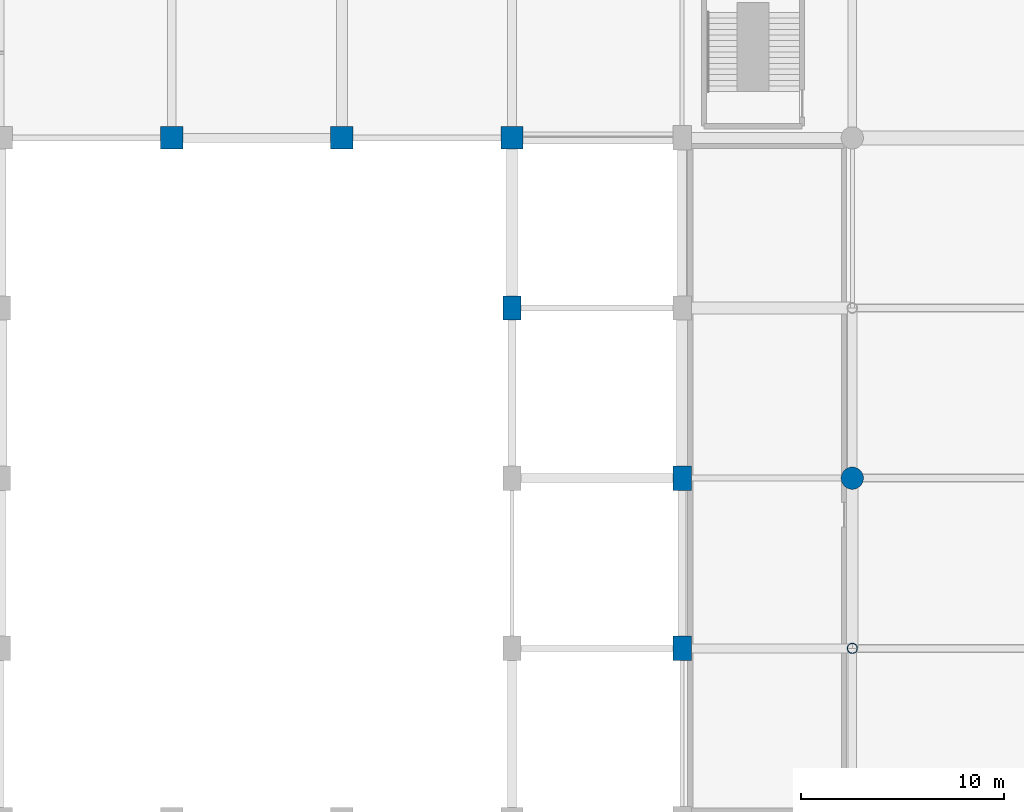
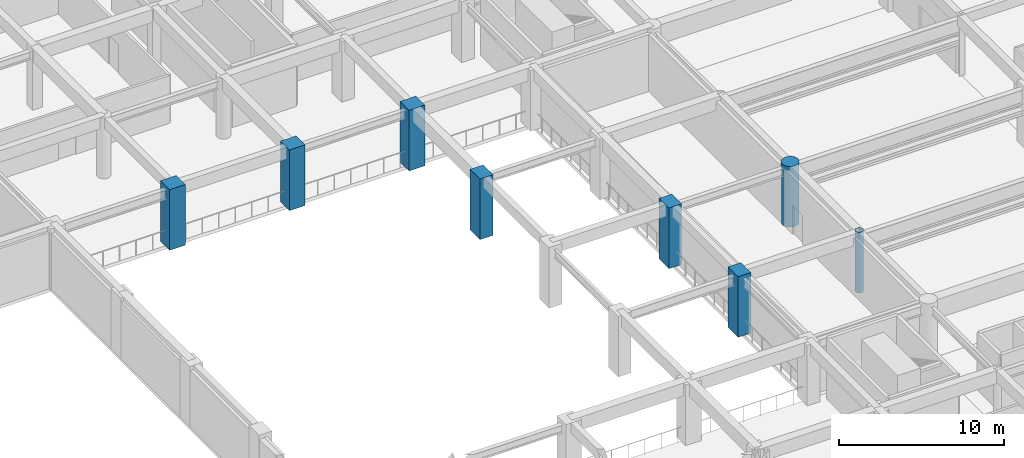
# One storey, part 3 of 56: 8 columns.
"""IFC4 building model written with IfcOpenShell, lengths in metres."""

from ifc_helpers import new_model, si_unit, direction, frame, origin, origin_2d, place, context, subcontext, project, spatial, rectangle, circle, hollow_circle, extrude, material, material_profile, profile_set, type_object, element, save


model = new_model("IFC4")

# Units and contexts
model_context = context("Model", 3, precision=1e-05, world=origin(), true_north=direction((0.0, 1.0)))
body_context = subcontext(model_context, "Body", "Model", "MODEL_VIEW")
ifc_project = project(units=[si_unit("LENGTHUNIT", "METRE"), si_unit("AREAUNIT", "SQUARE_METRE"), si_unit("VOLUMEUNIT", "CUBIC_METRE"), si_unit("PLANEANGLEUNIT", "RADIAN"), si_unit("MASSUNIT", "GRAM", prefix="KILO")], contexts=[model_context])

# Site, building, storey
site_placement = place(None, origin())
site = spatial("IfcSite", under=ifc_project, at=site_placement, CompositionType="ELEMENT")
building_placement = place(site_placement, origin())
building = spatial("IfcBuilding", under=site, at=building_placement, Name="Xuanlan Plaza Opera House", CompositionType="ELEMENT")
storey_placement = place(building_placement, frame((0.0, 0.0, 18.89990234375)))
storey = spatial("IfcBuildingStorey", under=building, at=storey_placement, Name="L04", CompositionType="ELEMENT", Elevation=18.89990234375)

# Columns
ifc_material_1 = material(Name="Concrete C50", Category="concrete")
ifc_material_profile_1 = material_profile(ifc_material_1, rectangle(XDim=1.10009765625, YDim=1.10009765625, at=origin_2d()), Name="RC-COL 1100x1100")
ifc_profile_set_1 = profile_set([ifc_material_profile_1], Name="Concrete C50")
column_type_1 = type_object("IfcColumnType", Name="STR-COL-C-03", PredefinedType="COLUMN", material=ifc_profile_set_1)
for number, where, z_axis, x_axis, name in (
    (1, (75.60009765625, 75.60009765625, 0.0), (0.0, 0.0, 1.0), (1.0, 0.0, 0.0), "Column L04 10-J"),
    (2, (84.0, 75.60009765625, 0.0), (0.0, 0.0, 1.0), (1.0, 0.0, 0.0), "Column L04 11-J"),
    (3, (92.39990234375, 75.60009765625, 0.0), (0.0, 0.0, 1.0), (1.0, 0.0, 0.0), "Column L04 12-J"),
):
    element("IfcColumn", number, at=place(storey_placement, frame(where, z_axis=z_axis, x_axis=x_axis)), inside=storey, type_object=column_type_1, Name=name, PredefinedType="COLUMN", context=body_context, shape_type="SweptSolid", body=[
        extrude(rectangle(XDim=1.10009765625, YDim=1.10009765625, at=origin_2d()), origin(), (0.0, 0.0, 1.0), 4.5),
    ])
ifc_material_profile_2 = material_profile(ifc_material_1, rectangle(XDim=0.89990234375, YDim=1.199951171875, at=origin_2d()), Name="RC-COL 900x1200")
ifc_profile_set_2 = profile_set([ifc_material_profile_2], Name="Concrete C50")
column_type_2 = type_object("IfcColumnType", Name="STR-COL-C-10", PredefinedType="COLUMN", material=ifc_profile_set_2)
for number, where, z_axis, x_axis, name in (
    (4, (92.39990234375, 67.199951171875, 0.0), (0.0, 0.0, 1.0), (1.0, 0.0, 0.0), "Column L04 12-I"),
    (5, (100.800048828125, 50.39990234375, 0.0), (0.0, 0.0, 1.0), (1.0, 0.0, 0.0), "Column L04 13-G"),
    (6, (100.800048828125, 58.800048828125, 0.0), (0.0, 0.0, 1.0), (1.0, 0.0, 0.0), "Column L04 13-H"),
):
    element("IfcColumn", number, at=place(storey_placement, frame(where, z_axis=z_axis, x_axis=x_axis)), inside=storey, type_object=column_type_2, Name=name, PredefinedType="COLUMN", context=body_context, shape_type="SweptSolid", body=[
        extrude(rectangle(XDim=0.89990234375, YDim=1.199951171875, at=origin_2d()), origin(), (0.0, 0.0, 1.0), 4.5),
    ])
ifc_material_profile_3 = material_profile(ifc_material_1, circle(Radius=0.550048828125, at=origin_2d()), Name="RC-COL D1100")
ifc_profile_set_3 = profile_set([ifc_material_profile_3], Name="Concrete C50")
column_type_3 = type_object("IfcColumnType", Name="STR-COL-C-11", PredefinedType="COLUMN", material=ifc_profile_set_3)
column_1_placement = place(storey_placement, frame((109.199951171875, 58.800048828125, 0.0), z_axis=(0.0, 0.0, 1.0), x_axis=(1.0, 0.0, 0.0)))
element("IfcColumn", 7, at=column_1_placement, inside=storey, type_object=column_type_3, Name="Column L04 14-H", PredefinedType="COLUMN", context=body_context, shape_type="SweptSolid", body=[
    extrude(circle(Radius=0.550048828125, at=origin_2d()), origin(), (0.0, 0.0, 1.0), 4.5),
])
ifc_material_2 = material(Name="Steel Q355B", Category="steel")
ifc_material_profile_4 = material_profile(ifc_material_2, hollow_circle(Radius=0.25390625, WallThickness=0.02001953125, at=origin_2d()), Name="CHS 508x20")
ifc_profile_set_4 = profile_set([ifc_material_profile_4], Name="Steel Q355B")
column_type_4 = type_object("IfcColumnType", Name="STR-COL-C-16", PredefinedType="COLUMN", material=ifc_profile_set_4)
column_2_placement = place(storey_placement, frame((109.199951171875, 50.39990234375, 0.0), z_axis=(0.0, 0.0, 1.0), x_axis=(1.0, 0.0, 0.0)))
element("IfcColumn", 8, at=column_2_placement, inside=storey, type_object=column_type_4, Name="Column L04 14-G", PredefinedType="COLUMN", context=body_context, shape_type="SweptSolid", body=[
    extrude(hollow_circle(Radius=0.25390625, WallThickness=0.02001953125, at=origin_2d()), origin(), (0.0, 0.0, 1.0), 4.5),
])

save(model, "model.ifc")
